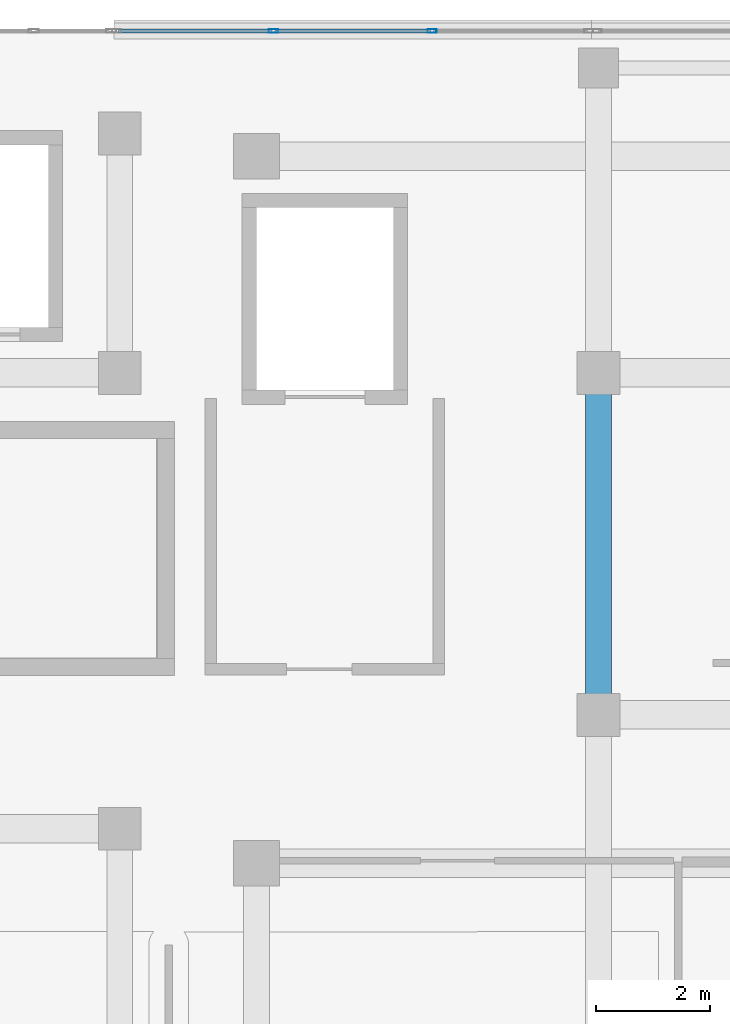
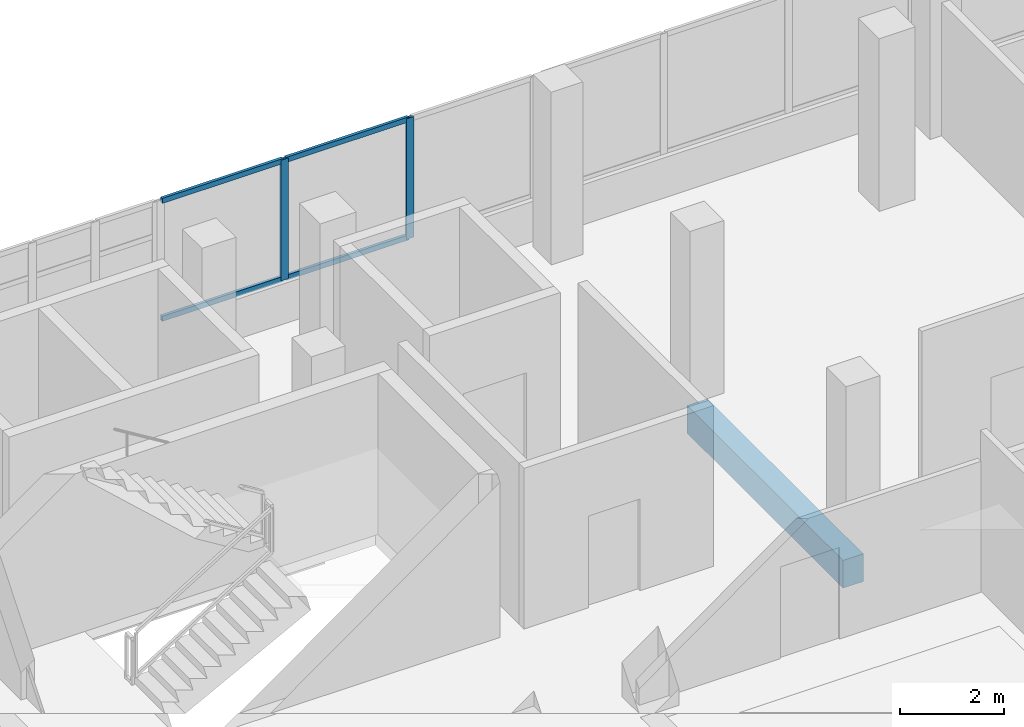
# One storey, part 40 of 101: 6 members, 1 beam, 1 element without a shape of its own.
"""IFC4 building model written with IfcOpenShell, lengths in metres."""

from ifc_helpers import new_model, si_unit, direction, frame, origin, origin_2d, place, context, subcontext, project, spatial, rectangle, hollow_rectangle, extrude, material, material_profile, profile_set, type_object, element, aggregate, save


model = new_model("IFC4")

# Units and contexts
model_context = context("Model", 3, precision=1e-05, world=origin(), true_north=direction((0.0, 1.0)))
body_context = subcontext(model_context, "Body", "Model", "MODEL_VIEW")
ifc_project = project(units=[si_unit("LENGTHUNIT", "METRE"), si_unit("AREAUNIT", "SQUARE_METRE"), si_unit("VOLUMEUNIT", "CUBIC_METRE"), si_unit("PLANEANGLEUNIT", "RADIAN"), si_unit("MASSUNIT", "GRAM", prefix="KILO")], contexts=[model_context])

# Site, building, storey
site_placement = place(None, origin())
site = spatial("IfcSite", under=ifc_project, at=site_placement, CompositionType="ELEMENT")
building_placement = place(site_placement, origin())
building = spatial("IfcBuilding", under=site, at=building_placement, Name="Selatvlak General Hospital", CompositionType="ELEMENT")
storey_placement = place(building_placement, frame((0.0, 0.0, 19.199951171875)))
storey = spatial("IfcBuildingStorey", under=building, at=storey_placement, Name="L04", CompositionType="ELEMENT", Elevation=19.199951171875)

# Beam
ifc_material_1 = material(Name="Concrete C40/50", Category="concrete")
ifc_material_profile_1 = material_profile(ifc_material_1, rectangle(XDim=0.449951171875, YDim=0.64990234375, at=origin_2d()), Name="RC-BM 450x650")
ifc_profile_set_1 = profile_set([ifc_material_profile_1], Name="Concrete C40/50")
beam_type = type_object("IfcBeamType", Name="BM-G04", PredefinedType="BEAM", material=ifc_profile_set_1)
beam_placement = place(storey_placement, frame((64.800048828125, 108.0, -0.6298828125), z_axis=(0.0, 1.0, 0.0), x_axis=(-1.0, 0.0, 0.0)))
element("IfcBeam", 1, at=beam_placement, inside=storey, type_object=beam_type, Name="Beam BMR-L04-1671", PredefinedType="BEAM", context=body_context, shape_type="SweptSolid", body=[
    extrude(rectangle(XDim=0.449951171875, YDim=0.64990234375, at=origin_2d()), origin(), (0.0, 0.0, 1.0), 6.0),
])

# Curtain wall, members
ifc_material_2 = material(Name="Solar-control Low-E double glazing", Category="glass")
curtain_wall_type = type_object("IfcCurtainWallType", Name="CW-CW-01", PredefinedType="USERDEFINED", material=ifc_material_2)
curtain_wall_placement = place(storey_placement, origin())
curtain_wall = element("IfcCurtainWall", 2, at=curtain_wall_placement, inside=storey, type_object=curtain_wall_type, Name="Glazed facade curtain wall CW-L04-0485", ObjectType="UNITISED CURTAIN WALL", PredefinedType="USERDEFINED")
ifc_material_3 = material(Name="Dark anodised aluminium mullion", Category="aluminium")
ifc_material_profile_2 = material_profile(ifc_material_3, hollow_rectangle(XDim=0.06494140625, YDim=0.159912109375, WallThickness=0.00390625, at=origin_2d()), Name="AL-MUL 65x160x4")
ifc_profile_set_2 = profile_set([ifc_material_profile_2], Name="Dark anodised aluminium mullion")
member_type_1 = type_object("IfcMemberType", Name="CWM-01", PredefinedType="MULLION", material=ifc_profile_set_2)
member_1_placement = place(storey_placement, frame((59.098388671875, 119.9990234375, 0.93994140625), z_axis=(0.0, 0.0, 1.0), x_axis=(0.0, 1.0, 0.0)))
member_1 = element("IfcMember", 3, at=member_1_placement, type_object=member_type_1, Name="CW-01 mullion 2", PredefinedType="MULLION", context=body_context, shape_type="SweptSolid", body=[
    extrude(hollow_rectangle(XDim=0.06494140625, YDim=0.159912109375, WallThickness=0.00390625, at=origin_2d()), origin(), (0.0, 0.0, 1.0), 2.830078125),
])
member_2_placement = place(storey_placement, frame((61.881591796875, 119.9990234375, 0.93994140625), z_axis=(0.0, 0.0, 1.0), x_axis=(0.0, 1.0, 0.0)))
member_2 = element("IfcMember", 4, at=member_2_placement, type_object=member_type_1, Name="CW-01 mullion 3", PredefinedType="MULLION", context=body_context, shape_type="SweptSolid", body=[
    extrude(hollow_rectangle(XDim=0.06494140625, YDim=0.159912109375, WallThickness=0.00390625, at=origin_2d()), origin(), (0.0, 0.0, 1.0), 2.830078125),
])
ifc_material_profile_3 = material_profile(ifc_material_3, hollow_rectangle(XDim=0.06494140625, YDim=0.1201171875, WallThickness=0.00390625, at=origin_2d()), Name="AL-TRN 65x120x4")
ifc_profile_set_3 = profile_set([ifc_material_profile_3], Name="Dark anodised aluminium mullion")
member_type_2 = type_object("IfcMemberType", Name="CWT-01", PredefinedType="USERDEFINED", material=ifc_profile_set_3)
member_3_placement = place(storey_placement, frame((56.3798828125, 119.9990234375, 0.97265625), z_axis=(1.0, 0.0, 0.0), x_axis=(0.0, 1.0, 0.0)))
member_3 = element("IfcMember", 5, at=member_3_placement, type_object=member_type_2, Name="CW-01 transom 1.1", ObjectType="TRANSOM", PredefinedType="USERDEFINED", context=body_context, shape_type="SweptSolid", body=[
    extrude(hollow_rectangle(XDim=0.06494140625, YDim=0.1201171875, WallThickness=0.00390625, at=origin_2d()), origin(), (0.0, 0.0, 1.0), 2.68603515625),
])
member_4_placement = place(storey_placement, frame((56.3798828125, 119.9990234375, 3.737548828125), z_axis=(1.0, 0.0, 0.0), x_axis=(0.0, 1.0, 0.0)))
member_4 = element("IfcMember", 6, at=member_4_placement, type_object=member_type_2, Name="CW-01 transom 1.2", ObjectType="TRANSOM", PredefinedType="USERDEFINED", context=body_context, shape_type="SweptSolid", body=[
    extrude(hollow_rectangle(XDim=0.06494140625, YDim=0.1201171875, WallThickness=0.00390625, at=origin_2d()), origin(), (0.0, 0.0, 1.0), 2.68603515625),
])
member_5_placement = place(storey_placement, frame((59.130859375, 119.9990234375, 0.97265625), z_axis=(1.0, 0.0, 0.0), x_axis=(0.0, 1.0, 0.0)))
member_5 = element("IfcMember", 7, at=member_5_placement, type_object=member_type_2, Name="CW-01 transom 2.1", ObjectType="TRANSOM", PredefinedType="USERDEFINED", context=body_context, shape_type="SweptSolid", body=[
    extrude(hollow_rectangle(XDim=0.06494140625, YDim=0.1201171875, WallThickness=0.00390625, at=origin_2d()), origin(), (0.0, 0.0, 1.0), 2.71826171875),
])
member_6_placement = place(storey_placement, frame((59.130859375, 119.9990234375, 3.737548828125), z_axis=(1.0, 0.0, 0.0), x_axis=(0.0, 1.0, 0.0)))
member_6 = element("IfcMember", 8, at=member_6_placement, type_object=member_type_2, Name="CW-01 transom 2.2", ObjectType="TRANSOM", PredefinedType="USERDEFINED", context=body_context, shape_type="SweptSolid", body=[
    extrude(hollow_rectangle(XDim=0.06494140625, YDim=0.1201171875, WallThickness=0.00390625, at=origin_2d()), origin(), (0.0, 0.0, 1.0), 2.71826171875),
])
aggregate(curtain_wall, [member_1, member_2, member_3, member_4, member_5, member_6])

save(model, "model.ifc")
